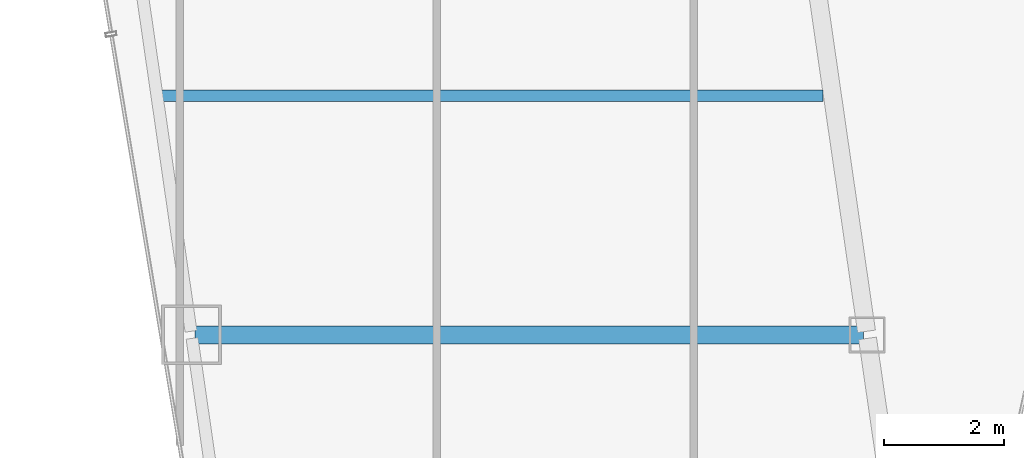
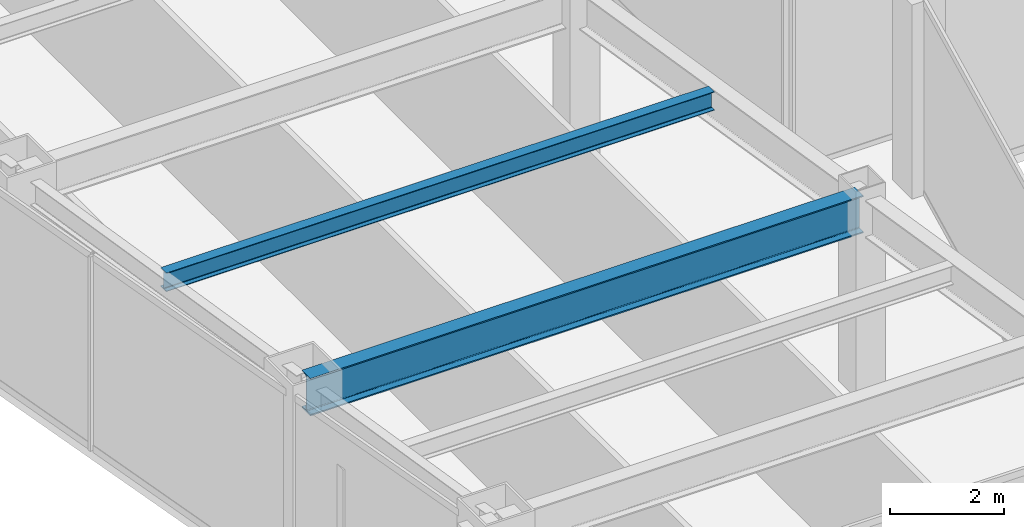
# One storey, part 4 of 37: 2 beams.
"""IFC4 building model written with IfcOpenShell, lengths in metres."""

from ifc_helpers import new_model, si_unit, direction, frame, origin, origin_2d, place, context, subcontext, project, spatial, i_section, extrude, material, material_profile, profile_set, type_object, element, save


model = new_model("IFC4")

# Units and contexts
model_context = context("Model", 3, precision=1e-05, world=origin(), true_north=direction((0.0, 1.0)))
body_context = subcontext(model_context, "Body", "Model", "MODEL_VIEW")
ifc_project = project(units=[si_unit("LENGTHUNIT", "METRE"), si_unit("AREAUNIT", "SQUARE_METRE"), si_unit("VOLUMEUNIT", "CUBIC_METRE"), si_unit("PLANEANGLEUNIT", "RADIAN"), si_unit("MASSUNIT", "GRAM", prefix="KILO")], contexts=[model_context])

# Site, building, storey
site_placement = place(None, origin())
site = spatial("IfcSite", under=ifc_project, at=site_placement, CompositionType="ELEMENT")
building_placement = place(site_placement, origin())
building = spatial("IfcBuilding", under=site, at=building_placement, Name="Saevonmaru Cultural Tower", CompositionType="ELEMENT")
storey_placement = place(building_placement, frame((0.0, 0.0, 114.800048828125)))
storey = spatial("IfcBuildingStorey", under=building, at=storey_placement, Name="L24", CompositionType="ELEMENT", Elevation=114.800048828125)

# Beams
ifc_material_1 = material(Name="Steel SM420", Category="steel")
ifc_material_profile_1 = material_profile(ifc_material_1, i_section(OverallWidth=0.300048828125, OverallDepth=0.800048828125, WebThickness=0.013916015625, FlangeThickness=0.02587890625, FilletRadius=0.028076171875, at=origin_2d()), Name="H-800x300x14x26")
ifc_profile_set_1 = profile_set([ifc_material_profile_1], Name="Steel SM420")
beam_type_1 = type_object("IfcBeamType", Name="BM-G-H800", PredefinedType="BEAM", material=ifc_profile_set_1)
beam_1_placement = place(storey_placement, frame((10.68798828125, 16.0, 3.75), z_axis=(1.0, 0.0, 0.0), x_axis=(0.0, 1.0, 0.0)))
element("IfcBeam", 1, at=beam_1_placement, inside=storey, type_object=beam_type_1, Name="L24 West Wing Transverse Girder 2", PredefinedType="BEAM", context=body_context, shape_type="SweptSolid", body=[
    extrude(i_section(OverallWidth=0.300048828125, OverallDepth=0.800048828125, WebThickness=0.013916015625, FlangeThickness=0.02587890625, FilletRadius=0.028076171875, at=origin_2d()), origin(), (0.0, 0.0, 1.0), 11.179931640625),
])
ifc_material_2 = material(Name="Steel SM355", Category="steel")
ifc_material_profile_2 = material_profile(ifc_material_2, i_section(OverallWidth=0.199951171875, OverallDepth=0.39990234375, WebThickness=0.008056640625, FlangeThickness=0.012939453125, FilletRadius=0.01611328125, at=origin_2d()), Name="H-400x200x8x13")
ifc_profile_set_2 = profile_set([ifc_material_profile_2], Name="Steel SM355")
beam_type_2 = type_object("IfcBeamType", Name="BM-J-H400", PredefinedType="JOIST", material=ifc_profile_set_2)
beam_2_placement = place(storey_placement, frame((10.110107421875, 20.0, 3.949951171875), z_axis=(1.0, 0.0, 0.0), x_axis=(0.0, 1.0, 0.0)))
element("IfcBeam", 2, at=beam_2_placement, inside=storey, type_object=beam_type_2, Name="L24 West Wing Floor Joist 2", PredefinedType="JOIST", context=body_context, shape_type="SweptSolid", body=[
    extrude(i_section(OverallWidth=0.199951171875, OverallDepth=0.39990234375, WebThickness=0.008056640625, FlangeThickness=0.012939453125, FilletRadius=0.01611328125, at=origin_2d()), origin(), (0.0, 0.0, 1.0), 11.081787109375),
])

save(model, "model.ifc")
